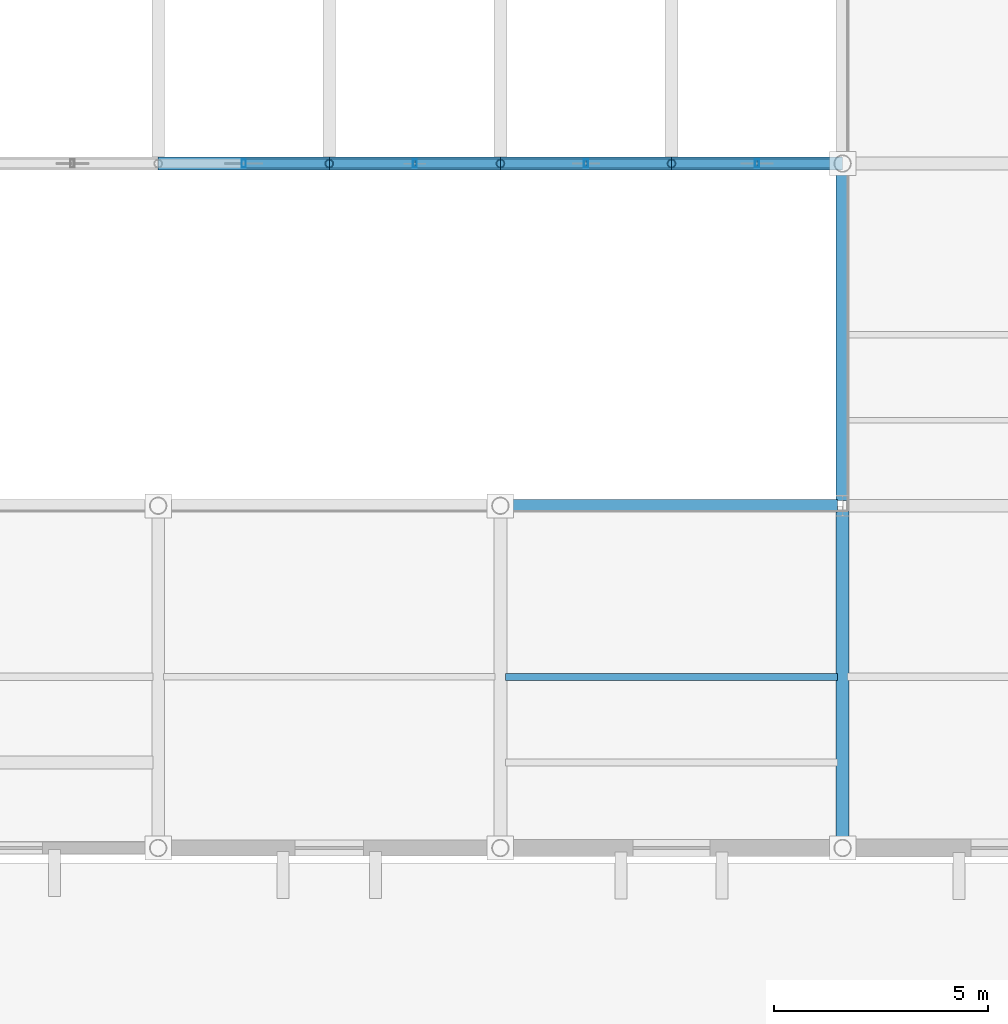
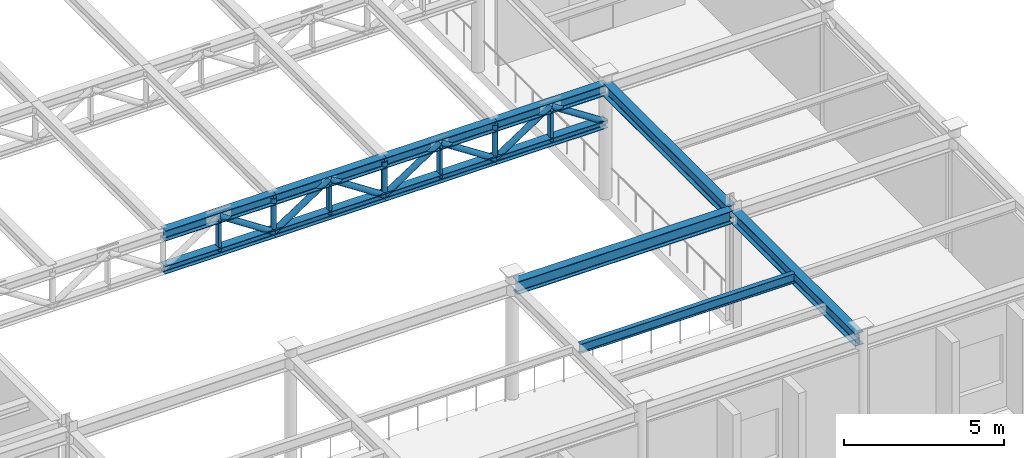
# One storey, part 13 of 46: 22 members, 4 beams.
"""IFC4 building model written with IfcOpenShell, lengths in metres."""

from ifc_helpers import new_model, si_unit, direction, frame, origin, origin_2d, place, context, subcontext, project, spatial, hollow_rectangle, hollow_circle, i_section, extrude, material, material_profile, profile_set, type_object, element, save


model = new_model("IFC4")

# Units and contexts
model_context = context("Model", 3, precision=1e-05, world=origin(), true_north=direction((0.0, 1.0)))
body_context = subcontext(model_context, "Body", "Model", "MODEL_VIEW")
ifc_project = project(units=[si_unit("LENGTHUNIT", "METRE"), si_unit("AREAUNIT", "SQUARE_METRE"), si_unit("VOLUMEUNIT", "CUBIC_METRE"), si_unit("PLANEANGLEUNIT", "RADIAN"), si_unit("MASSUNIT", "GRAM", prefix="KILO")], contexts=[model_context])

# Site, building, storey
site_placement = place(None, origin())
site = spatial("IfcSite", under=ifc_project, at=site_placement, CompositionType="ELEMENT")
building_placement = place(site_placement, origin())
building = spatial("IfcBuilding", under=site, at=building_placement, Name="Tazarka Park Arena", CompositionType="ELEMENT")
storey_placement = place(building_placement, frame((0.0, 0.0, 10.199951171875)))
storey = spatial("IfcBuildingStorey", under=building, at=storey_placement, Name="L02", CompositionType="ELEMENT", Elevation=10.199951171875)

# Beams
ifc_material_1 = material(Name="Steel S355", Category="steel")
ifc_material_profile_1 = material_profile(ifc_material_1, i_section(OverallWidth=0.300048828125, OverallDepth=0.489990234375, WebThickness=0.011962890625, FlangeThickness=0.02294921875, FilletRadius=0.027099609375, at=origin_2d()), Name="Steel S355")
ifc_profile_set_1 = profile_set([ifc_material_profile_1], Name="Steel S355")
beam_type_1 = type_object("IfcBeamType", Name="BM-B-06", PredefinedType="BEAM", material=ifc_profile_set_1)
for number, where, z_axis, x_axis, name in (
    (1, (176.0, 56.1201171875, 4.175048828125), (0.0, 1.0, 0.0), (-1.0, 0.0, 0.0), "GYM-L02-22-07"),
    (2, (176.0, 64.1201171875, 4.175048828125), (0.0, 1.0, 0.0), (-1.0, 0.0, 0.0), "GYM-L02-22-08"),
):
    element("IfcBeam", number, at=place(storey_placement, frame(where, z_axis=z_axis, x_axis=x_axis)), inside=storey, type_object=beam_type_1, Name=name, PredefinedType="BEAM", context=body_context, shape_type="SweptSolid", body=[
        extrude(i_section(OverallWidth=0.300048828125, OverallDepth=0.489990234375, WebThickness=0.011962890625, FlangeThickness=0.02294921875, FilletRadius=0.027099609375, at=origin_2d()), origin(), (0.0, 0.0, 1.0), 7.759765625),
    ])
ifc_material_2 = material(Name="Steel S355", Category="steel")
ifc_material_profile_2 = material_profile(ifc_material_2, i_section(OverallWidth=0.169921875, OverallDepth=0.360107421875, WebThickness=0.008056640625, FlangeThickness=0.0126953125, FilletRadius=0.01806640625, at=origin_2d()), Name="Steel S355")
ifc_profile_set_2 = profile_set([ifc_material_profile_2], Name="Steel S355")
beam_type_2 = type_object("IfcBeamType", Name="BM-J-02", PredefinedType="JOIST", material=ifc_profile_set_2)
beam_1_placement = place(storey_placement, frame((168.1201171875, 60.0, 4.239990234375), z_axis=(1.0, 0.0, 0.0), x_axis=(0.0, 1.0, 0.0)))
element("IfcBeam", 3, at=beam_1_placement, inside=storey, type_object=beam_type_2, Name="JST-L02-21-07", PredefinedType="JOIST", context=body_context, shape_type="SweptSolid", body=[
    extrude(i_section(OverallWidth=0.169921875, OverallDepth=0.360107421875, WebThickness=0.008056640625, FlangeThickness=0.0126953125, FilletRadius=0.01806640625, at=origin_2d()), origin(), (0.0, 0.0, 1.0), 7.759765625),
])
ifc_material_3 = material(Name="Steel S355", Category="steel")
ifc_material_profile_3 = material_profile(ifc_material_3, i_section(OverallWidth=0.300048828125, OverallDepth=0.489990234375, WebThickness=0.011962890625, FlangeThickness=0.02294921875, FilletRadius=0.027099609375, at=origin_2d()), Name="Steel S355")
ifc_profile_set_3 = profile_set([ifc_material_profile_3], Name="Steel S355")
beam_type_3 = type_object("IfcBeamType", Name="BM-SP-02", PredefinedType="SPANDREL", material=ifc_profile_set_3)
beam_2_placement = place(storey_placement, frame((168.1201171875, 64.0, 4.175048828125), z_axis=(1.0, 0.0, 0.0), x_axis=(0.0, 1.0, 0.0)))
element("IfcBeam", 4, at=beam_2_placement, inside=storey, type_object=beam_type_3, Name="GXM-L02-21-08", PredefinedType="SPANDREL", context=body_context, shape_type="SweptSolid", body=[
    extrude(i_section(OverallWidth=0.300048828125, OverallDepth=0.489990234375, WebThickness=0.011962890625, FlangeThickness=0.02294921875, FilletRadius=0.027099609375, at=origin_2d()), origin(), (0.0, 0.0, 1.0), 7.759765625),
])

# Members
ifc_material_4 = material(Name="Steel S355", Category="steel")
ifc_material_profile_4 = material_profile(ifc_material_4, hollow_circle(Radius=0.109619140625, WallThickness=0.010009765625, at=origin_2d()), Name="Steel S355")
ifc_profile_set_4 = profile_set([ifc_material_profile_4], Name="Steel S355")
member_type_1 = type_object("IfcMemberType", Name="MEM-BR-02", PredefinedType="BRACE", material=ifc_profile_set_4)
for number, where, z_axis, x_axis, name in (
    (5, (162.0, 72.0, 4.16015625), (0.836516005166, 0.0, -0.547942490688), (0.0, 1.0, 0.0), "WTD-B-1-2"),
    (6, (164.0, 72.0, 2.85009765625), (0.836516005166, 0.0, 0.547942490688), (0.0, 1.0, 0.0), "WTD-A-1-3"),
    (7, (166.0, 72.0, 4.16015625), (0.836516005166, 0.0, -0.547942490688), (0.0, 1.0, 0.0), "WTD-B-1-3"),
    (8, (168.0, 72.0, 2.85009765625), (0.836516005166, 0.0, 0.547942490688), (0.0, 1.0, 0.0), "WTD-A-1-4"),
    (9, (170.0, 72.0, 4.16015625), (0.836516005166, 0.0, -0.547942490688), (0.0, 1.0, 0.0), "WTD-B-1-4"),
    (10, (172.0, 72.0, 2.85009765625), (0.836516005166, 0.0, 0.547942490688), (0.0, 1.0, 0.0), "WTD-A-1-5"),
    (11, (174.0, 72.0, 4.16015625), (0.836516005166, 0.0, -0.547942490688), (0.0, 1.0, 0.0), "WTD-B-1-5"),
):
    element("IfcMember", number, at=place(storey_placement, frame(where, z_axis=z_axis, x_axis=x_axis)), inside=storey, type_object=member_type_1, Name=name, PredefinedType="BRACE", context=body_context, shape_type="SweptSolid", body=[
        extrude(hollow_circle(Radius=0.109619140625, WallThickness=0.010009765625, at=origin_2d()), origin(), (0.0, 0.0, 1.0), 2.390869140625),
    ])
ifc_material_5 = material(Name="Steel S355", Category="steel")
ifc_material_profile_5 = material_profile(ifc_material_5, i_section(OverallWidth=0.300048828125, OverallDepth=0.300048828125, WebThickness=0.010986328125, FlangeThickness=0.01904296875, FilletRadius=0.027099609375, at=origin_2d()), Name="Steel S355")
ifc_profile_set_5 = profile_set([ifc_material_profile_5], Name="Steel S355")
member_type_2 = type_object("IfcMemberType", Name="MEM-CH-01", PredefinedType="CHORD", material=ifc_profile_set_5)
for number, where, z_axis, x_axis, name in (
    (12, (160.0, 72.0, 2.85009765625), (1.0, 0.0, 0.0), (0.0, 1.0, 0.0), "WTC-B-1-2"),
    (13, (164.0, 72.0, 2.85009765625), (1.0, 0.0, 0.0), (0.0, 1.0, 0.0), "WTC-B-1-3"),
    (14, (168.0, 72.0, 2.85009765625), (1.0, 0.0, 0.0), (0.0, 1.0, 0.0), "WTC-B-1-4"),
    (15, (172.0, 72.0, 2.85009765625), (1.0, 0.0, 0.0), (0.0, 1.0, 0.0), "WTC-B-1-5"),
):
    element("IfcMember", number, at=place(storey_placement, frame(where, z_axis=z_axis, x_axis=x_axis)), inside=storey, type_object=member_type_2, Name=name, PredefinedType="CHORD", context=body_context, shape_type="SweptSolid", body=[
        extrude(i_section(OverallWidth=0.300048828125, OverallDepth=0.300048828125, WebThickness=0.010986328125, FlangeThickness=0.01904296875, FilletRadius=0.027099609375, at=origin_2d()), origin(), (0.0, 0.0, 1.0), 4.0),
    ])
ifc_material_6 = material(Name="Steel S355", Category="steel")
ifc_material_profile_6 = material_profile(ifc_material_6, i_section(OverallWidth=0.300048828125, OverallDepth=0.39990234375, WebThickness=0.013427734375, FlangeThickness=0.02392578125, FilletRadius=0.027099609375, at=origin_2d()), Name="Steel S355")
ifc_profile_set_6 = profile_set([ifc_material_profile_6], Name="Steel S355")
member_type_3 = type_object("IfcMemberType", Name="MEM-CH-02", PredefinedType="CHORD", material=ifc_profile_set_6)
for number, where, z_axis, x_axis, name in (
    (16, (160.0, 72.0, 4.16015625), (1.0, 0.0, 0.0), (0.0, 1.0, 0.0), "WTC-T-1-2"),
    (17, (164.0, 72.0, 4.16015625), (1.0, 0.0, 0.0), (0.0, 1.0, 0.0), "WTC-T-1-3"),
    (18, (168.0, 72.0, 4.16015625), (1.0, 0.0, 0.0), (0.0, 1.0, 0.0), "WTC-T-1-4"),
    (19, (172.0, 72.0, 4.16015625), (1.0, 0.0, 0.0), (0.0, 1.0, 0.0), "WTC-T-1-5"),
):
    element("IfcMember", number, at=place(storey_placement, frame(where, z_axis=z_axis, x_axis=x_axis)), inside=storey, type_object=member_type_3, Name=name, PredefinedType="CHORD", context=body_context, shape_type="SweptSolid", body=[
        extrude(i_section(OverallWidth=0.300048828125, OverallDepth=0.39990234375, WebThickness=0.013427734375, FlangeThickness=0.02392578125, FilletRadius=0.027099609375, at=origin_2d()), origin(), (0.0, 0.0, 1.0), 4.0),
    ])
ifc_material_7 = material(Name="Steel S355", Category="steel")
ifc_material_profile_7 = material_profile(ifc_material_7, hollow_rectangle(XDim=0.10009765625, YDim=0.199951171875, WallThickness=0.008056640625, at=origin_2d()), Name="Steel S355")
ifc_profile_set_7 = profile_set([ifc_material_profile_7], Name="Steel S355")
member_type_4 = type_object("IfcMemberType", Name="MEM-PT-01", PredefinedType="POST", material=ifc_profile_set_7)
for number, where, z_axis, x_axis, name in (
    (20, (162.0, 72.0, 2.85009765625), (0.0, 0.0, 1.0), (1.0, 0.0, 0.0), "WTP-1-2"),
    (21, (166.0, 72.0, 2.85009765625), (0.0, 0.0, 1.0), (1.0, 0.0, 0.0), "WTP-1-3"),
    (22, (170.0, 72.0, 2.85009765625), (0.0, 0.0, 1.0), (1.0, 0.0, 0.0), "WTP-1-4"),
    (23, (174.0, 72.0, 2.85009765625), (0.0, 0.0, 1.0), (1.0, 0.0, 0.0), "WTP-1-5"),
):
    element("IfcMember", number, at=place(storey_placement, frame(where, z_axis=z_axis, x_axis=x_axis)), inside=storey, type_object=member_type_4, Name=name, PredefinedType="POST", context=body_context, shape_type="SweptSolid", body=[
        extrude(hollow_rectangle(XDim=0.10009765625, YDim=0.199951171875, WallThickness=0.008056640625, at=origin_2d()), origin(), (0.0, 0.0, 1.0), 1.31005859375),
    ])
ifc_material_8 = material(Name="Steel S355", Category="steel")
ifc_material_profile_8 = material_profile(ifc_material_8, hollow_circle(Radius=0.096923828125, WallThickness=0.010009765625, at=origin_2d()), Name="Steel S355")
ifc_profile_set_8 = profile_set([ifc_material_profile_8], Name="Steel S355")
member_type_5 = type_object("IfcMemberType", Name="MEM-PT-03", PredefinedType="POST", material=ifc_profile_set_8)
for number, where, z_axis, x_axis, name in (
    (24, (164.0, 72.0, 2.85009765625), (0.0, 0.0, 1.0), (1.0, 0.0, 0.0), "WTPN-1-3"),
    (25, (168.0, 72.0, 2.85009765625), (0.0, 0.0, 1.0), (1.0, 0.0, 0.0), "WTPN-1-4"),
    (26, (172.0, 72.0, 2.85009765625), (0.0, 0.0, 1.0), (1.0, 0.0, 0.0), "WTPN-1-5"),
):
    element("IfcMember", number, at=place(storey_placement, frame(where, z_axis=z_axis, x_axis=x_axis)), inside=storey, type_object=member_type_5, Name=name, PredefinedType="POST", context=body_context, shape_type="SweptSolid", body=[
        extrude(hollow_circle(Radius=0.096923828125, WallThickness=0.010009765625, at=origin_2d()), origin(), (0.0, 0.0, 1.0), 1.31005859375),
    ])

save(model, "model.ifc")
